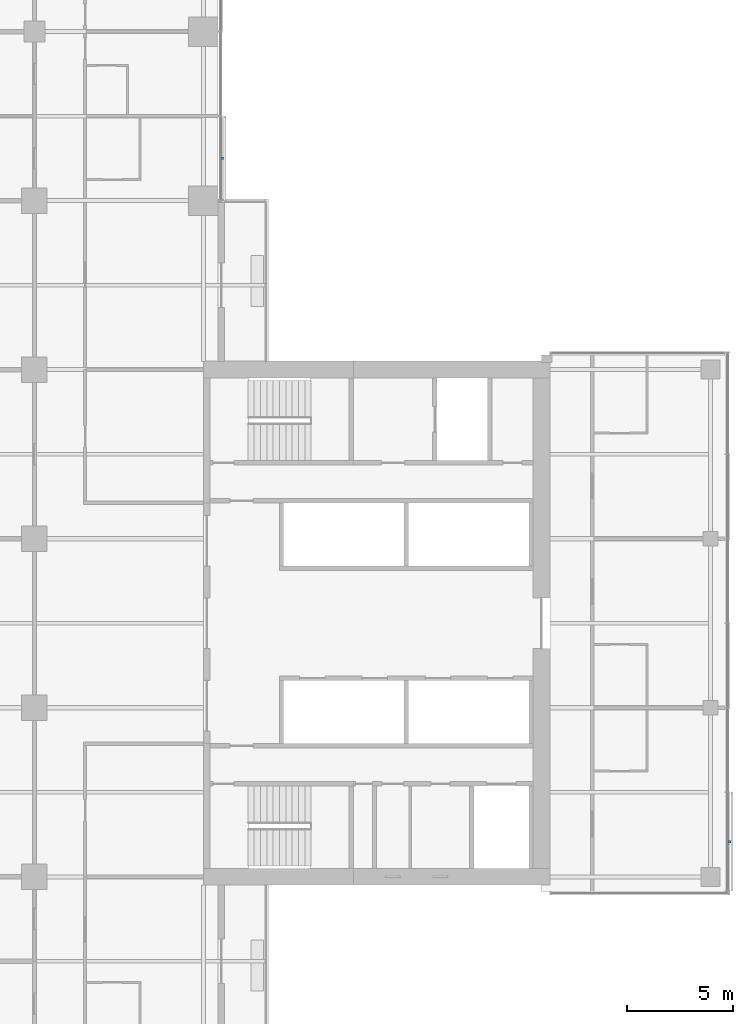
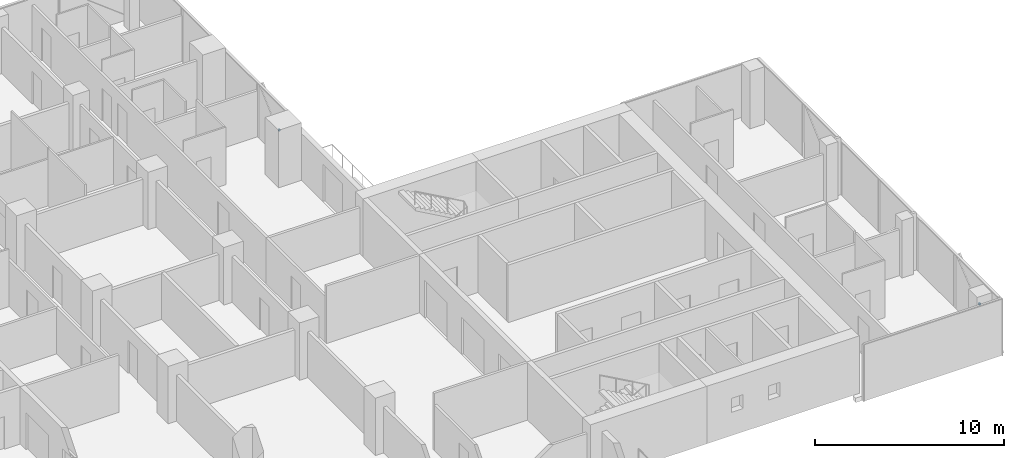
# One storey, part 25 of 27: 2 discrete accessories.
"""IFC4 building model written with IfcOpenShell, lengths in metres."""

import ifcopenshell
import ifcopenshell.guid

model = None  # the IFC model being written
_history = None  # IfcOwnerHistory: only IFC2X3 demands one
_inside = {}  # id of a spatial element -> (the spatial element, [elements in it])
_under = {}  # id of a project, library or spatial element -> (it, [spatial elements below it])
_declared = {}  # id of a project -> (the project, [libraries it declares])
_typed = {}  # id of a type object -> (the type object, [elements of that type])
_made_of = {}  # id of a material, layer set ... -> (it, [elements and type objects made of it])


def new_model(schema):
    """Start an empty IFC model of exactly this schema.

    Asked for "IFC4X3", IfcOpenShell would pick the latest addendum, in which some entities
    have other attributes; the version numbers below select the first issue.
    IFC2X3 requires an IfcOwnerHistory on every rooted entity: one is made here for all.
    """
    global model, _history
    if schema == "IFC4X3":
        model = ifcopenshell.file(schema_version=(4, 3, 0, 0))
    else:
        model = ifcopenshell.file(schema=schema)
    _inside.clear()
    _under.clear()
    _declared.clear()
    _typed.clear()
    _made_of.clear()
    _history = None
    if model.schema == "IFC2X3":
        org = make("IfcOrganization", Name="unknown")
        user = make(
            "IfcPersonAndOrganization",
            ThePerson=make("IfcPerson", FamilyName="unknown"),
            TheOrganization=org,
        )
        app = make(
            "IfcApplication",
            ApplicationDeveloper=org,
            Version="unknown",
            ApplicationFullName="unknown",
            ApplicationIdentifier="unknown",
        )
        _history = make(
            "IfcOwnerHistory",
            OwningUser=user,
            OwningApplication=app,
            ChangeAction="ADDED",
            CreationDate=0,
        )
    return model


def make(cls, **values):
    """One entity of the class cls with the attributes given. An attribute that is None is left unset."""
    return model.create_entity(
        cls, **{name: value for name, value in values.items() if value is not None}
    )


def rooted(cls, **values):
    """An entity with a GlobalId (a new one), such as an element, a storey or a relation."""
    return make(cls, GlobalId=ifcopenshell.guid.new(), OwnerHistory=_history, **values)


def si_unit(unit_type, name, prefix=None):
    """IfcSIUnit, for example si_unit("LENGTHUNIT", "METRE", prefix="MILLI")."""
    return make("IfcSIUnit", UnitType=unit_type, Prefix=prefix, Name=name)


def assignment(units):
    """IfcUnitAssignment: the units of a project."""
    return None if units is None else make("IfcUnitAssignment", Units=units)


def point(xyz):
    """IfcCartesianPoint."""
    return None if xyz is None else make("IfcCartesianPoint", Coordinates=xyz)


def direction(xyz):
    """IfcDirection."""
    return None if xyz is None else make("IfcDirection", DirectionRatios=xyz)


def frame(location, z_axis=None, x_axis=None):
    """IfcAxis2Placement3D, a coordinate frame: its origin and axes. An axis left out is left unset."""
    return make(
        "IfcAxis2Placement3D",
        Location=point(location),
        Axis=direction(z_axis),
        RefDirection=direction(x_axis),
    )


def frame_2d(location, x_axis=None):
    """IfcAxis2Placement2D, a coordinate frame in the plane: its origin and x axis."""
    return make(
        "IfcAxis2Placement2D", Location=point(location), RefDirection=direction(x_axis)
    )


def origin():
    """The frame at (0, 0, 0) with its axes left unset."""
    return frame((0.0, 0.0, 0.0))


def origin_2d():
    """The frame at (0, 0) in the plane with its x axis left unset."""
    return frame_2d((0.0, 0.0))


def place(relative_to, where):
    """IfcLocalPlacement: puts the frame where relative to a parent placement (None: the world)."""
    return make(
        "IfcLocalPlacement", PlacementRelTo=relative_to, RelativePlacement=where
    )


def context(
    kind, dimensions, precision=None, world=None, true_north=None, identifier=None
):
    """IfcGeometricRepresentationContext, for example the 3D "Model" context."""
    return make(
        "IfcGeometricRepresentationContext",
        ContextIdentifier=identifier,
        ContextType=kind,
        CoordinateSpaceDimension=dimensions,
        Precision=precision,
        WorldCoordinateSystem=world,
        TrueNorth=true_north,
    )


def subcontext(parent, identifier, kind, view, scale=None):
    """IfcGeometricRepresentationSubContext, for example "Body" below "Model"."""
    return make(
        "IfcGeometricRepresentationSubContext",
        ContextIdentifier=identifier,
        ContextType=kind,
        ParentContext=parent,
        TargetScale=scale,
        TargetView=view,
    )


def project(units=None, contexts=None):
    """IfcProject with its units and contexts."""
    return rooted(
        "IfcProject",
        Name="project",
        RepresentationContexts=contexts,
        UnitsInContext=assignment(units),
    )


def spatial(cls, under=None, at=None, **own):
    """A site, building, storey or space (cls), placed at a placement, below another one or the project."""
    s = rooted(cls, ObjectPlacement=at, **own)
    if under is not None:
        _under.setdefault(under.id(), (under, []))[1].append(s)
    return s


def profile(cls, at=None, kind="AREA", **sizes):
    """A parametric profile (cls). Its sizes go by their IFC names, for example OverallWidth=200.0."""
    return make(cls, ProfileType=kind, Position=at, **sizes)


def rectangle(**sizes):
    """IfcRectangleProfileDef."""
    return profile("IfcRectangleProfileDef", **sizes)


def extrude(swept, where, along, depth):
    """IfcExtrudedAreaSolid: the profile swept, set in the frame where, extruded along a direction by depth."""
    return make(
        "IfcExtrudedAreaSolid",
        SweptArea=swept,
        Position=where,
        ExtrudedDirection=direction(along),
        Depth=depth,
    )


def shape(context_of_items, identifier, shape_type, items):
    """IfcShapeRepresentation: the items that make up one representation, for example the "Body"."""
    return make(
        "IfcShapeRepresentation",
        ContextOfItems=context_of_items,
        RepresentationIdentifier=identifier,
        RepresentationType=shape_type,
        Items=items,
    )


def material(Name=None, Category=None):
    """IfcMaterial."""
    return make("IfcMaterial", Name=Name, Category=Category)


def made_of(thing, what):
    """Note that an element or type object is made of a material, layer set ...; save() writes the relation."""
    if what is not None:
        _made_of.setdefault(what.id(), (what, []))[1].append(thing)
    return thing


def type_object(cls, material=None, **own):
    """A type object (cls), such as IfcWallType, which elements share."""
    return made_of(rooted(cls, **own), material)


def element(
    cls,
    number,
    at=None,
    inside=None,
    cuts=None,
    type_object=None,
    material=None,
    context=None,
    identifier="Body",
    shape_type=None,
    held_by="IfcProductDefinitionShape",
    body=None,
    shapes=None,
    **own,
):
    """One element of the class cls, such as IfcWall. Its Tag is "e" and its number.

    at: its placement. inside: the storey or other place that contains it. cuts: it is an
    opening in that element (IfcRelVoidsElement). A single representation is given by context,
    identifier, shape_type and body (its items); several are given by shapes. held_by: the class
    of the entity that holds the representations. save() writes the other relations.
    """
    e = rooted(cls, Tag="e%d" % number, ObjectPlacement=at, **own)
    if body is not None:
        shapes = [shape(context, identifier, shape_type, body)]
    if shapes is not None:
        e.Representation = make(held_by, Representations=shapes)
    if inside is not None:
        _inside.setdefault(inside.id(), (inside, []))[1].append(e)
    if cuts is not None:
        rooted(
            "IfcRelVoidsElement", RelatingBuildingElement=cuts, RelatedOpeningElement=e
        )
    if type_object is not None:
        _typed.setdefault(type_object.id(), (type_object, []))[1].append(e)
    return made_of(e, material)


def aggregate(whole, parts):
    """IfcRelAggregates: a whole, such as a stair, and the parts it consists of."""
    return rooted("IfcRelAggregates", RelatingObject=whole, RelatedObjects=parts)


def save(model, path):
    """Write the relations noted so far, then the file.

    IfcRelAggregates (storeys below a building ...), IfcRelContainedInSpatialStructure (elements
    in a storey), IfcRelDefinesByType, IfcRelAssociatesMaterial and IfcRelDeclares: one each for
    every whole, place, type object, material and project.
    """
    for whole, parts in _under.values():
        aggregate(whole, parts)
    for where, things in _inside.values():
        rooted(
            "IfcRelContainedInSpatialStructure",
            RelatedElements=things,
            RelatingStructure=where,
        )
    for kind, things in _typed.values():
        rooted("IfcRelDefinesByType", RelatedObjects=things, RelatingType=kind)
    for what, things in _made_of.values():
        rooted("IfcRelAssociatesMaterial", RelatedObjects=things, RelatingMaterial=what)
    for by, libraries in _declared.values():
        rooted("IfcRelDeclares", RelatingContext=by, RelatedDefinitions=libraries)
    model.write(path)


model = new_model("IFC4")

# Units and contexts
model_context = context("Model", 3, precision=1e-05, world=origin(), true_north=direction((0.0, 1.0)))
body_context = subcontext(model_context, "Body", "Model", "MODEL_VIEW")
ifc_project = project(units=[si_unit("LENGTHUNIT", "METRE"), si_unit("AREAUNIT", "SQUARE_METRE"), si_unit("VOLUMEUNIT", "CUBIC_METRE"), si_unit("PLANEANGLEUNIT", "RADIAN"), si_unit("MASSUNIT", "GRAM", prefix="KILO")], contexts=[model_context])

# Site, building, storey
site_placement = place(None, origin())
site = spatial("IfcSite", under=ifc_project, at=site_placement, CompositionType="ELEMENT")
building_placement = place(site_placement, origin())
building = spatial("IfcBuilding", under=site, at=building_placement, Name="Crosswind Convention Tower", CompositionType="ELEMENT")
storey_placement = place(building_placement, frame((0.0, 0.0, 83.10009765625)))
storey = spatial("IfcBuildingStorey", under=building, at=storey_placement, Name="L15", CompositionType="ELEMENT", Elevation=83.10009765625)

# Discrete accessories
ifc_material = material(Name="Stainless steel", Category="steel")
discrete_accessory_type = type_object("IfcDiscreteAccessoryType", Name="BAGUETTE BRACKET BK2", PredefinedType="BRACKET", material=ifc_material)
for number, where, z_axis, x_axis, name in (
    (1, (161.907958984375, 89.666259765625, 1.477294921875), (0.0, 0.0, 1.0), (0.0, 1.0, 0.0), "BK2 baguette bracket"),
    (2, (137.907958984375, 122.0, 1.477294921875), (0.0, 0.0, 1.0), (0.0, 1.0, 0.0), "BK2 baguette bracket"),
):
    element("IfcDiscreteAccessory", number, at=place(storey_placement, frame(where, z_axis=z_axis, x_axis=x_axis)), inside=storey, type_object=discrete_accessory_type, Name=name, PredefinedType="BRACKET", context=body_context, shape_type="SweptSolid", body=[
        extrude(rectangle(XDim=0.1201171875, YDim=0.10009765625, at=origin_2d()), origin(), (0.0, 0.0, 1.0), 0.1201171875),
    ])

save(model, "model.ifc")
